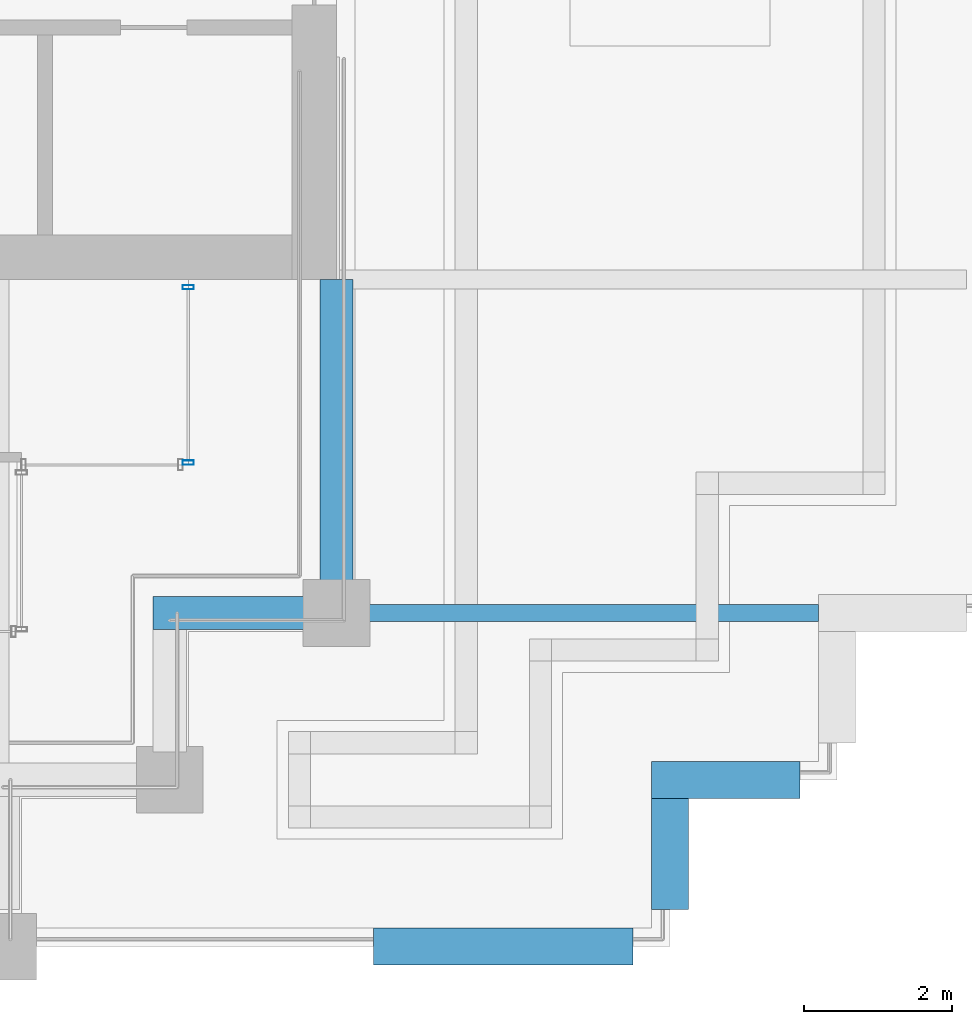
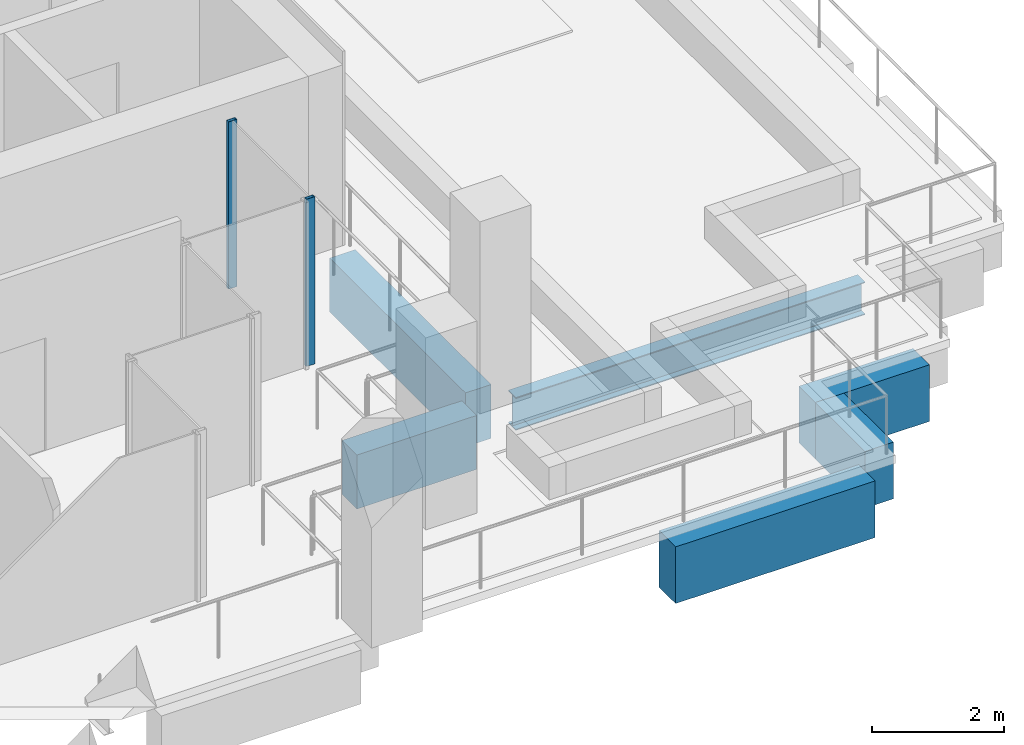
# One storey, part 32 of 44: 6 beams, 2 members, 1 element without a shape of its own.
"""IFC4 building model written with IfcOpenShell, lengths in metres."""

from ifc_helpers import new_model, si_unit, direction, frame, origin, origin_2d, place, context, subcontext, project, spatial, rectangle, hollow_rectangle, i_section, extrude, material, material_profile, profile_set, type_object, element, aggregate, save


model = new_model("IFC4")

# Units and contexts
model_context = context("Model", 3, precision=1e-05, world=origin(), true_north=direction((0.0, 1.0)))
body_context = subcontext(model_context, "Body", "Model", "MODEL_VIEW")
ifc_project = project(units=[si_unit("LENGTHUNIT", "METRE"), si_unit("AREAUNIT", "SQUARE_METRE"), si_unit("VOLUMEUNIT", "CUBIC_METRE"), si_unit("PLANEANGLEUNIT", "RADIAN"), si_unit("MASSUNIT", "GRAM", prefix="KILO")], contexts=[model_context])

# Site, building, storey
site_placement = place(None, origin())
site = spatial("IfcSite", under=ifc_project, at=site_placement, CompositionType="ELEMENT")
building_placement = place(site_placement, origin())
building = spatial("IfcBuilding", under=site, at=building_placement, Name="Altepetl Exchange Towers", CompositionType="ELEMENT")
storey_placement = place(building_placement, frame((0.0, 0.0, 143.800048828125)))
storey = spatial("IfcBuildingStorey", under=building, at=storey_placement, Name="L35", CompositionType="ELEMENT", Elevation=143.800048828125)

# Beam
ifc_material_1 = material(Name="Steel S355", Category="steel")
ifc_material_profile_1 = material_profile(ifc_material_1, i_section(OverallWidth=0.22802734375, OverallDepth=0.60791015625, WebThickness=0.01123046875, FlangeThickness=0.017333984375, at=origin_2d()), Name="W24X76")
ifc_profile_set_1 = profile_set([ifc_material_profile_1], Name="Steel S355")
beam_type_1 = type_object("IfcBeamType", Name="Floor beam W24X76", PredefinedType="BEAM", material=ifc_profile_set_1)
beam_1_placement = place(storey_placement, frame((117.375, 31.5, -0.4541015625), z_axis=(1.0, 0.0, 0.0), x_axis=(0.0, 1.0, 0.0)))
element("IfcBeam", 1, at=beam_1_placement, inside=storey, type_object=beam_type_1, Name="bm:B:L35:t000", PredefinedType="BEAM", context=body_context, shape_type="SweptSolid", body=[
    extrude(i_section(OverallWidth=0.22802734375, OverallDepth=0.60791015625, WebThickness=0.01123046875, FlangeThickness=0.017333984375, at=origin_2d()), origin(), (0.0, 0.0, 1.0), 6.125),
])

# Curtain wall, members
ifc_material_2 = material(Name="Aluminium 6063-T6 glazing", Category="aluminium")
curtain_wall_type = type_object("IfcCurtainWallType", Name="Loggia glazing system", PredefinedType="NOTDEFINED", material=ifc_material_2)
curtain_wall_placement = place(storey_placement, origin())
curtain_wall = element("IfcCurtainWall", 2, at=curtain_wall_placement, inside=storey, type_object=curtain_wall_type, Name="CW1 run", PredefinedType="NOTDEFINED")
ifc_material_3 = material(Name="Aluminium 6063-T6", Category="aluminium")
ifc_material_profile_2 = material_profile(ifc_material_3, hollow_rectangle(XDim=0.06005859375, YDim=0.14990234375, WallThickness=0.0029296875, at=origin_2d()), Name="Mullion 60x150 aluminium")
ifc_profile_set_2 = profile_set([ifc_material_profile_2], Name="Aluminium 6063-T6")
member_type = type_object("IfcMemberType", Name="Mullion 60x150 aluminium", PredefinedType="MULLION", material=ifc_profile_set_2)
member_1_placement = place(storey_placement, frame((115.0, 33.530029296875, 0.0), z_axis=(0.0, 0.0, 1.0), x_axis=(0.0, 1.0, 0.0)))
member_1 = element("IfcMember", 3, at=member_1_placement, type_object=member_type, Name="MU1 mullion", PredefinedType="MULLION", context=body_context, shape_type="SweptSolid", body=[
    extrude(hollow_rectangle(XDim=0.06005859375, YDim=0.14990234375, WallThickness=0.0029296875, at=origin_2d()), origin(), (0.0, 0.0, 1.0), 3.099853515625),
])
member_2_placement = place(storey_placement, frame((115.0, 35.89501953125, 0.0), z_axis=(0.0, 0.0, 1.0), x_axis=(0.0, 1.0, 0.0)))
member_2 = element("IfcMember", 4, at=member_2_placement, type_object=member_type, Name="MU1 mullion", PredefinedType="MULLION", context=body_context, shape_type="SweptSolid", body=[
    extrude(hollow_rectangle(XDim=0.06005859375, YDim=0.14990234375, WallThickness=0.0029296875, at=origin_2d()), origin(), (0.0, 0.0, 1.0), 3.099853515625),
])
aggregate(curtain_wall, [member_1, member_2])

# Beams
ifc_material_4 = material(Name="Concrete C50/60 precast with cantera blanca facing", Category="concrete")
ifc_material_profile_3 = material_profile(ifc_material_4, rectangle(XDim=0.449951171875, YDim=1.0, at=origin_2d()), Name="450 x 1000")
ifc_profile_set_3 = profile_set([ifc_material_profile_3], Name="Concrete C50/60 precast with cantera blanca facing")
beam_type_2 = type_object("IfcBeamType", Name="Spandrel beam 450x1000 cantera blanca", PredefinedType="SPANDREL", material=ifc_profile_set_3)
beam_2_placement = place(storey_placement, frame((117.0, 31.875, -0.650146484375), z_axis=(0.0, 1.0, 0.0), x_axis=(-1.0, 0.0, 0.0)))
element("IfcBeam", 5, at=beam_2_placement, inside=storey, type_object=beam_type_2, Name="sp:B:L35:007", PredefinedType="SPANDREL", context=body_context, shape_type="SweptSolid", body=[
    extrude(rectangle(XDim=0.449951171875, YDim=1.0, at=origin_2d()), origin(), (0.0, 0.0, 1.0), 4.125),
])
ifc_material_5 = material(Name="Concrete C50/60 precast with tezontle facing", Category="concrete")
ifc_material_profile_4 = material_profile(ifc_material_5, rectangle(XDim=0.449951171875, YDim=1.0, at=origin_2d()), Name="450 x 1000")
ifc_profile_set_4 = profile_set([ifc_material_profile_4], Name="Concrete C50/60 precast with tezontle facing")
beam_type_3 = type_object("IfcBeamType", Name="Spandrel beam 450x1000 tezontle", PredefinedType="SPANDREL", material=ifc_profile_set_4)
beam_3_placement = place(storey_placement, frame((114.52490234375, 31.5, -0.650146484375), z_axis=(1.0, 0.0, 0.0), x_axis=(0.0, 1.0, 0.0)))
element("IfcBeam", 6, at=beam_3_placement, inside=storey, type_object=beam_type_3, Name="sp:B:L35:006", PredefinedType="SPANDREL", context=body_context, shape_type="SweptSolid", body=[
    extrude(rectangle(XDim=0.449951171875, YDim=1.0, at=origin_2d()), origin(), (0.0, 0.0, 1.0), 2.10009765625),
])
ifc_material_profile_5 = material_profile(ifc_material_4, rectangle(XDim=0.5, YDim=1.050048828125, at=origin_2d()), Name="500 x 1050")
ifc_profile_set_5 = profile_set([ifc_material_profile_5], Name="Concrete C50/60 precast with cantera blanca facing")
beam_type_4 = type_object("IfcBeamType", Name="Spandrel beam 500x1050 cantera blanca", PredefinedType="SPANDREL", material=ifc_profile_set_5)
beam_4_placement = place(storey_placement, frame((117.5, 27.0, -0.675048828125), z_axis=(1.0, 0.0, 0.0), x_axis=(0.0, 1.0, 0.0)))
element("IfcBeam", 7, at=beam_4_placement, inside=storey, type_object=beam_type_4, Name="sp:B:L35:t000", PredefinedType="SPANDREL", context=body_context, shape_type="SweptSolid", body=[
    extrude(rectangle(XDim=0.5, YDim=1.050048828125, at=origin_2d()), origin(), (0.0, 0.0, 1.0), 3.5),
])
beam_5_placement = place(storey_placement, frame((121.5, 27.5, -0.675048828125), z_axis=(0.0, 1.0, 0.0), x_axis=(-1.0, 0.0, 0.0)))
element("IfcBeam", 8, at=beam_5_placement, inside=storey, type_object=beam_type_4, Name="sp:B:L35:t001", PredefinedType="SPANDREL", context=body_context, shape_type="SweptSolid", body=[
    extrude(rectangle(XDim=0.5, YDim=1.050048828125, at=origin_2d()), origin(), (0.0, 0.0, 1.0), 1.5),
])
beam_6_placement = place(storey_placement, frame((121.25, 29.25, -0.675048828125), z_axis=(1.0, 0.0, 0.0), x_axis=(0.0, 1.0, 0.0)))
element("IfcBeam", 9, at=beam_6_placement, inside=storey, type_object=beam_type_4, Name="sp:B:L35:t002", PredefinedType="SPANDREL", context=body_context, shape_type="SweptSolid", body=[
    extrude(rectangle(XDim=0.5, YDim=1.050048828125, at=origin_2d()), origin(), (0.0, 0.0, 1.0), 2.0),
])

save(model, "model.ifc")
